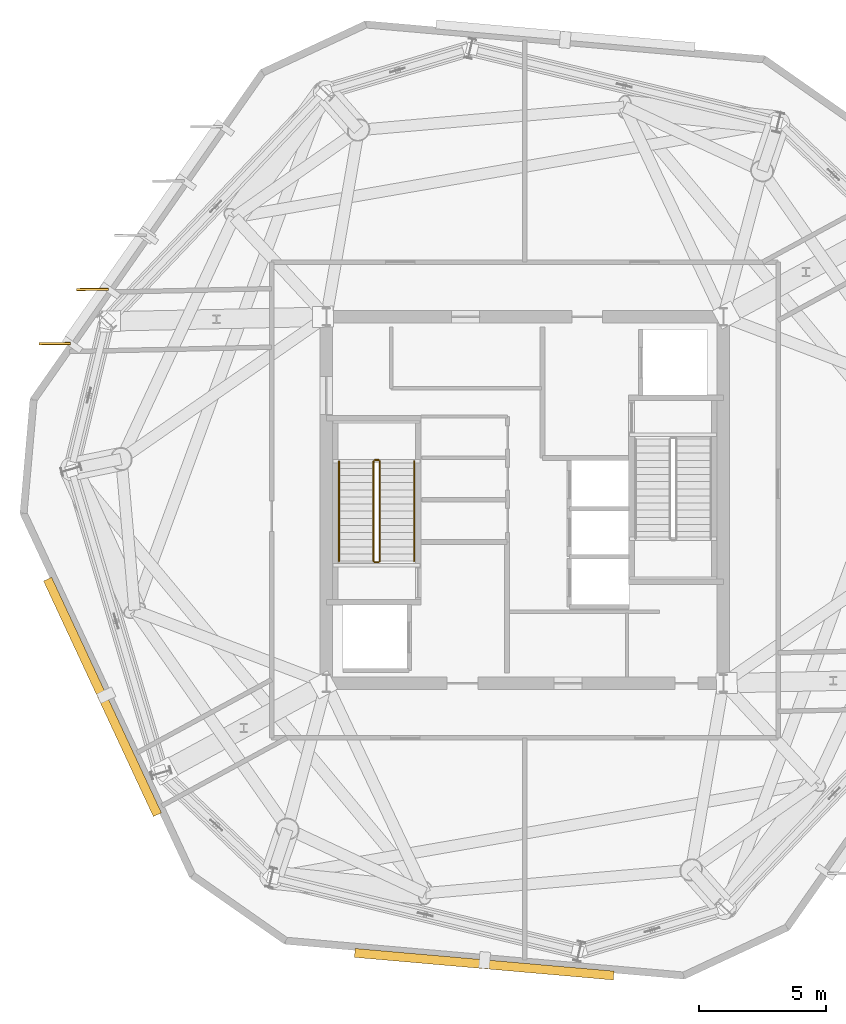
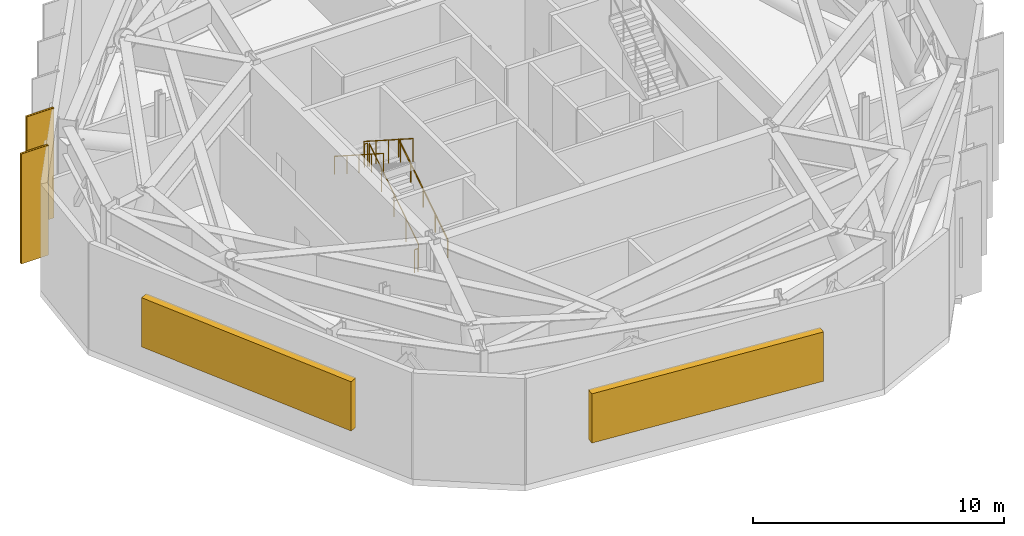
# One storey, part 8 of 10: 6 railings, 4 shading devices, 2 coverings.
"""IFC4 building model written with IfcOpenShell, lengths in metres."""

from ifc_helpers import new_model, si_unit, direction, frame, origin, origin_2d, place, context, subcontext, project, spatial, rectangle, circle, extrude, material, layer, layer_set, type_object, element, save


model = new_model("IFC4")

# Units and contexts
model_context = context("Model", 3, precision=1e-05, world=origin(), true_north=direction((0.0, 1.0)))
body_context = subcontext(model_context, "Body", "Model", "MODEL_VIEW")
ifc_project = project(units=[si_unit("LENGTHUNIT", "METRE"), si_unit("AREAUNIT", "SQUARE_METRE"), si_unit("VOLUMEUNIT", "CUBIC_METRE"), si_unit("PLANEANGLEUNIT", "RADIAN"), si_unit("MASSUNIT", "GRAM", prefix="KILO")], contexts=[model_context])

# Site, building, storey
site_placement = place(None, origin())
site = spatial("IfcSite", under=ifc_project, at=site_placement, CompositionType="ELEMENT")
building_placement = place(site_placement, origin())
building = spatial("IfcBuilding", under=site, at=building_placement, Name="Kranzbogen Civic Tower", CompositionType="ELEMENT")
storey_placement = place(building_placement, frame((0.0, 0.0, 244.800048828125)))
storey = spatial("IfcBuildingStorey", under=building, at=storey_placement, Name="L59", CompositionType="ELEMENT", Elevation=244.800048828125)

# Coverings
ifc_material_1 = material(Name="Pale Anodised Aluminium", Category="aluminium")
ifc_layer = layer(ifc_material_1, 0.02490234375, Name="Pale Anodised Aluminium")
ifc_layer_set = layer_set([ifc_layer], Name="Pale Anodised Aluminium")
covering_type = type_object("IfcCoveringType", Name="Anodised Aluminium Vertical Fin Cladding 25 mm", PredefinedType="CLADDING", material=ifc_layer_set)
for number, where, z_axis, x_axis, name in (
    (1, (8.01611328125, 33.27490234375, -0.14013671875), (0.0, 0.0, 1.0), (-0.999960849454, -0.008848703829, 0.0), "L59 vertical fin pale-metal cladding F2-4"),
    (2, (6.52490234375, 31.14501953125, -0.14013671875), (0.0, 0.0, 1.0), (-0.999960849454, -0.008848703829, 0.0), "L59 vertical fin pale-metal cladding F2-5"),
):
    element("IfcCovering", number, at=place(storey_placement, frame(where, z_axis=z_axis, x_axis=x_axis)), inside=storey, type_object=covering_type, Name=name, PredefinedType="CLADDING", context=body_context, shape_type="SweptSolid", body=[
        extrude(rectangle(XDim=1.25, YDim=0.10009765625, at=origin_2d()), origin(), (0.0, 0.0, 1.0), 5.360107421875),
    ])

# Shading devices
ifc_material_2 = material(Name="Anodised Bronze Aluminium", Category="aluminium")
shading_device_type_1 = type_object("IfcShadingDeviceType", Name="Anodised Bronze Vertical Facade Fin 1250x80", PredefinedType="USERDEFINED", material=ifc_material_2)
for number, where, z_axis, x_axis, name in (
    (3, (8.01611328125, 33.27490234375, -0.14013671875), (0.0, 0.0, 1.0), (-0.999960849454, -0.008848703829, 0.0), "L59 vertical exterior shading fin F2-4"),
    (4, (6.52490234375, 31.14501953125, -0.14013671875), (0.0, 0.0, 1.0), (-0.999960849454, -0.008848703829, 0.0), "L59 vertical exterior shading fin F2-5"),
):
    element("IfcShadingDevice", number, at=place(storey_placement, frame(where, z_axis=z_axis, x_axis=x_axis)), inside=storey, type_object=shading_device_type_1, Name=name, ObjectType="FIN", PredefinedType="USERDEFINED", context=body_context, shape_type="SweptSolid", body=[
        extrude(rectangle(XDim=1.25, YDim=0.080078125, at=origin_2d()), origin(), (0.0, 0.0, 1.0), 5.360107421875),
    ])

# Railings
ifc_material_3 = material(Name="Steel S355", Category="steel")
railing_type_1 = type_object("IfcRailingType", Name="Internal Stair and Void Steel Guardrail 1150", PredefinedType="GUARDRAIL", material=ifc_material_3)
railing_1_placement = place(storey_placement, frame((19.300048828125, 22.60009765625, 0.179931640625)))
element("IfcRailing", 5, at=railing_1_placement, inside=storey, type_object=railing_type_1, Name="L59 ST-T1 stair guard 1", PredefinedType="GUARDRAIL", context=body_context, shape_type="SweptSolid", body=[
    extrude(circle(Radius=0.02392578125, at=origin_2d()), frame((0.0, 0.0, 1.1259765625), z_axis=(0.0, 0.841171666519, 0.540768182723), x_axis=(-1.0, 0.0, 0.0)), (0.0, 0.0, 1.0), 4.66015625),
    extrude(circle(Radius=0.02099609375, at=origin_2d()), origin(), (0.0, 0.0, 1.0), 1.101806640625),
    extrude(circle(Radius=0.02099609375, at=origin_2d()), frame((0.0, 0.97998046875, 0.6298828125)), (0.0, 0.0, 1.0), 1.101806640625),
    extrude(circle(Radius=0.02099609375, at=origin_2d()), frame((0.0, 1.9599609375, 1.260009765625)), (0.0, 0.0, 1.0), 1.101806640625),
    extrude(circle(Radius=0.02099609375, at=origin_2d()), frame((0.0, 2.93994140625, 1.89013671875)), (0.0, 0.0, 1.0), 1.101806640625),
    extrude(circle(Radius=0.02099609375, at=origin_2d()), frame((0.0, 3.919921875, 2.52001953125)), (0.0, 0.0, 1.0), 1.101806640625),
])
railing_2_placement = place(storey_placement, frame((19.25, 26.570068359375, 2.699951171875)))
element("IfcRailing", 6, at=railing_2_placement, inside=storey, type_object=railing_type_1, Name="L59 ST-T1 stair guard 2", PredefinedType="GUARDRAIL", context=body_context, shape_type="SweptSolid", body=[
    extrude(circle(Radius=0.02392578125, at=origin_2d()), frame((0.0, 0.0, 1.1259765625), z_axis=(-1.0, 0.0, 0.0), x_axis=(0.0, -1.0, 0.0)), (0.0, 0.0, 1.0), 0.14990234375),
    extrude(circle(Radius=0.02099609375, at=origin_2d()), origin(), (0.0, 0.0, 1.0), 1.101806640625),
    extrude(circle(Radius=0.02099609375, at=origin_2d()), frame((-0.14990234375, 0.0, 0.0)), (0.0, 0.0, 1.0), 1.101806640625),
])
railing_3_placement = place(storey_placement, frame((19.050048828125, 26.52001953125, 2.8798828125)))
element("IfcRailing", 7, at=railing_3_placement, inside=storey, type_object=railing_type_1, Name="L59 ST-T1 stair guard 3", PredefinedType="GUARDRAIL", context=body_context, shape_type="SweptSolid", body=[
    extrude(circle(Radius=0.02392578125, at=origin_2d()), frame((0.0, 0.0, 1.1259765625), z_axis=(0.0, -0.841171666519, 0.540768182723), x_axis=(1.0, 0.0, 0.0)), (0.0, 0.0, 1.0), 4.66015625),
    extrude(circle(Radius=0.02099609375, at=origin_2d()), origin(), (0.0, 0.0, 1.0), 1.101806640625),
    extrude(circle(Radius=0.02099609375, at=origin_2d()), frame((0.0, -0.97998046875, 0.6298828125)), (0.0, 0.0, 1.0), 1.101806640625),
    extrude(circle(Radius=0.02099609375, at=origin_2d()), frame((0.0, -1.9599609375, 1.260009765625)), (0.0, 0.0, 1.0), 1.101806640625),
    extrude(circle(Radius=0.02099609375, at=origin_2d()), frame((0.0, -2.93994140625, 1.89013671875)), (0.0, 0.0, 1.0), 1.101806640625),
    extrude(circle(Radius=0.02099609375, at=origin_2d()), frame((0.0, -3.919921875, 2.52001953125)), (0.0, 0.0, 1.0), 1.101806640625),
])
railing_4_placement = place(storey_placement, frame((19.25, 22.550048828125, 0.0)))
element("IfcRailing", 8, at=railing_4_placement, inside=storey, type_object=railing_type_1, Name="L59 ST-T1 stair guard 4", PredefinedType="GUARDRAIL", context=body_context, shape_type="SweptSolid", body=[
    extrude(circle(Radius=0.02392578125, at=origin_2d()), frame((0.0, 0.0, 1.1259765625), z_axis=(-1.0, 0.0, 0.0), x_axis=(0.0, -1.0, 0.0)), (0.0, 0.0, 1.0), 0.14990234375),
    extrude(circle(Radius=0.02099609375, at=origin_2d()), origin(), (0.0, 0.0, 1.0), 1.101806640625),
    extrude(circle(Radius=0.02099609375, at=origin_2d()), frame((-0.14990234375, 0.0, 0.0)), (0.0, 0.0, 1.0), 1.101806640625),
])

# Shading devices
shading_device_type_2 = type_object("IfcShadingDeviceType", Name="Plant Band Acoustic Weather Louvre Module", PredefinedType="USERDEFINED", material=ifc_material_1)
shading_device_1_placement = place(storey_placement, frame((8.404052734375, 17.261962890625, 1.389892578125), z_axis=(0.0, 0.0, 1.0), x_axis=(0.422649897593, -0.906293034324, 0.0)))
element("IfcShadingDevice", 9, at=shading_device_1_placement, inside=storey, type_object=shading_device_type_2, Name="L59 acoustic intake louvre 3", ObjectType="LOUVRE", PredefinedType="USERDEFINED", context=body_context, shape_type="SweptSolid", body=[
    extrude(rectangle(XDim=10.210205078125, YDim=0.35009765625, at=origin_2d()), origin(), (0.0, 0.0, 1.0), 2.39990234375),
])
shading_device_2_placement = place(storey_placement, frame((23.404052734375, 6.758056640625, 1.389892578125), z_axis=(0.0, 0.0, 1.0), x_axis=(0.996194698092, -0.087155742748, 0.0)))
element("IfcShadingDevice", 10, at=shading_device_2_placement, inside=storey, type_object=shading_device_type_2, Name="L59 acoustic intake louvre 4", ObjectType="LOUVRE", PredefinedType="USERDEFINED", context=body_context, shape_type="SweptSolid", body=[
    extrude(rectangle(XDim=10.2099609375, YDim=0.35009765625, at=origin_2d()), origin(), (0.0, 0.0, 1.0), 2.39990234375),
])

# Railings
railing_type_2 = type_object("IfcRailingType", Name="Tubular Stainless Stair Wall Handrail 900", PredefinedType="HANDRAIL", material=ifc_material_1)
railing_5_placement = place(storey_placement, frame((20.64990234375, 22.60009765625, 0.179931640625)))
element("IfcRailing", 11, at=railing_5_placement, inside=storey, type_object=railing_type_2, Name="L59 ST-T1 stair handrail 1", PredefinedType="HANDRAIL", context=body_context, shape_type="SweptSolid", body=[
    extrude(circle(Radius=0.02392578125, at=origin_2d()), frame((0.0, 0.0, 0.8759765625), z_axis=(0.0, 0.841171666519, 0.540768182723), x_axis=(-1.0, 0.0, 0.0)), (0.0, 0.0, 1.0), 4.66015625),
    extrude(circle(Radius=0.02099609375, at=origin_2d()), origin(), (0.0, 0.0, 1.0), 0.851806640625),
    extrude(circle(Radius=0.02099609375, at=origin_2d()), frame((0.0, 0.97998046875, 0.6298828125)), (0.0, 0.0, 1.0), 0.851806640625),
    extrude(circle(Radius=0.02099609375, at=origin_2d()), frame((0.0, 1.9599609375, 1.260009765625)), (0.0, 0.0, 1.0), 0.851806640625),
    extrude(circle(Radius=0.02099609375, at=origin_2d()), frame((0.0, 2.93994140625, 1.89013671875)), (0.0, 0.0, 1.0), 0.851806640625),
    extrude(circle(Radius=0.02099609375, at=origin_2d()), frame((0.0, 3.919921875, 2.52001953125)), (0.0, 0.0, 1.0), 0.851806640625),
])
railing_6_placement = place(storey_placement, frame((17.699951171875, 26.52001953125, 2.8798828125)))
element("IfcRailing", 12, at=railing_6_placement, inside=storey, type_object=railing_type_2, Name="L59 ST-T1 stair handrail 2", PredefinedType="HANDRAIL", context=body_context, shape_type="SweptSolid", body=[
    extrude(circle(Radius=0.02392578125, at=origin_2d()), frame((0.0, 0.0, 0.8759765625), z_axis=(0.0, -0.841171666519, 0.540768182723), x_axis=(1.0, 0.0, 0.0)), (0.0, 0.0, 1.0), 4.66015625),
    extrude(circle(Radius=0.02099609375, at=origin_2d()), origin(), (0.0, 0.0, 1.0), 0.851806640625),
    extrude(circle(Radius=0.02099609375, at=origin_2d()), frame((0.0, -0.97998046875, 0.6298828125)), (0.0, 0.0, 1.0), 0.851806640625),
    extrude(circle(Radius=0.02099609375, at=origin_2d()), frame((0.0, -1.9599609375, 1.260009765625)), (0.0, 0.0, 1.0), 0.851806640625),
    extrude(circle(Radius=0.02099609375, at=origin_2d()), frame((0.0, -2.93994140625, 1.89013671875)), (0.0, 0.0, 1.0), 0.851806640625),
    extrude(circle(Radius=0.02099609375, at=origin_2d()), frame((0.0, -3.919921875, 2.52001953125)), (0.0, 0.0, 1.0), 0.851806640625),
])

save(model, "model.ifc")
